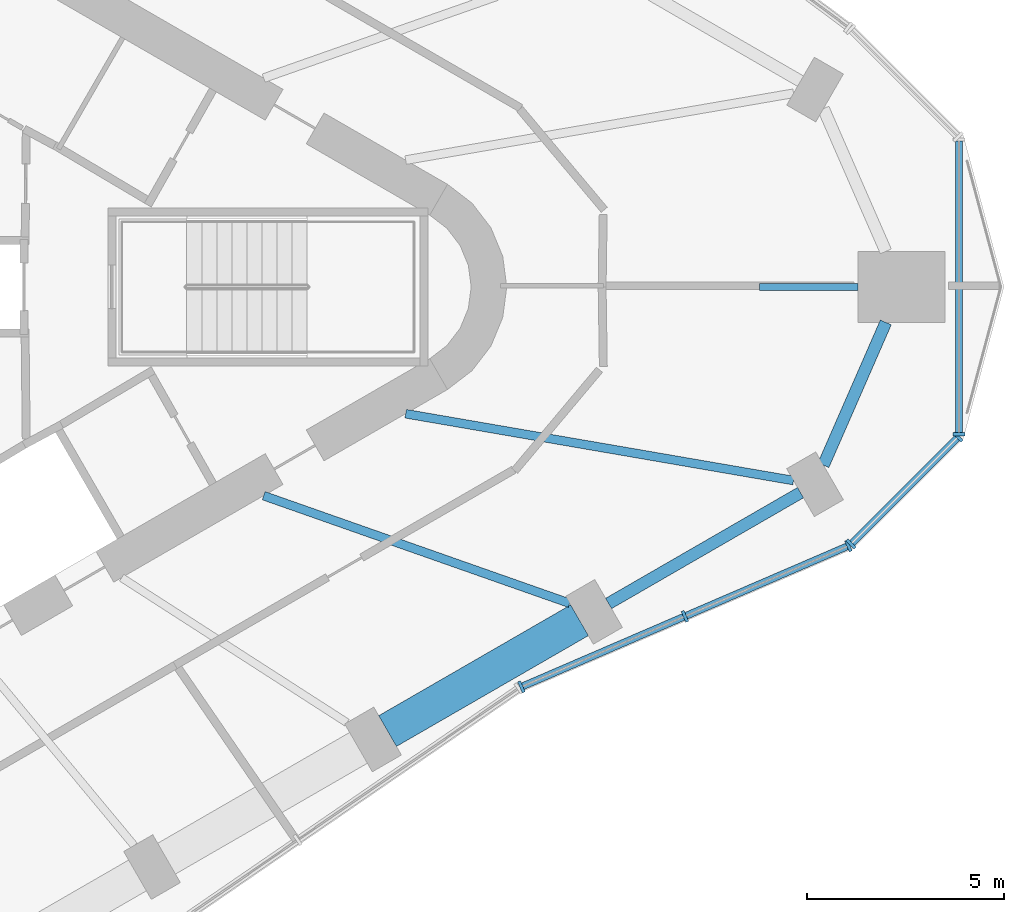
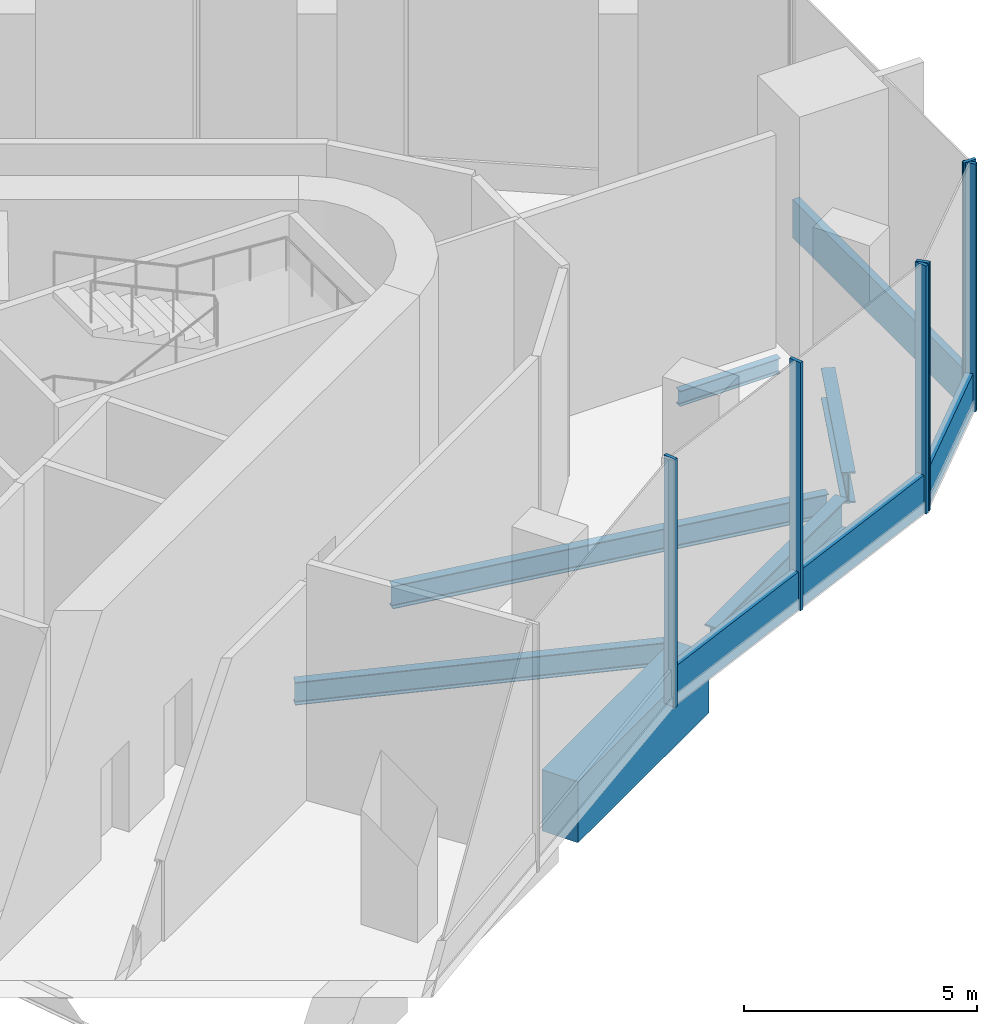
# One storey, part 3 of 13: 10 members, 6 beams, 3 elements without a shape of their own.
"""IFC4 building model written with IfcOpenShell, lengths in metres."""

from ifc_helpers import new_model, si_unit, direction, frame, origin, origin_2d, place, context, subcontext, project, spatial, rectangle, i_section, extrude, material, material_profile, profile_set, type_object, element, aggregate, save


model = new_model("IFC4")

# Units and contexts
model_context = context("Model", 3, precision=1e-05, world=origin(), true_north=direction((0.0, 1.0)))
body_context = subcontext(model_context, "Body", "Model", "MODEL_VIEW")
ifc_project = project(units=[si_unit("LENGTHUNIT", "METRE"), si_unit("AREAUNIT", "SQUARE_METRE"), si_unit("VOLUMEUNIT", "CUBIC_METRE"), si_unit("PLANEANGLEUNIT", "RADIAN"), si_unit("MASSUNIT", "GRAM", prefix="KILO")], contexts=[model_context])

# Site, building, storey
site_placement = place(None, origin())
site = spatial("IfcSite", under=ifc_project, at=site_placement, CompositionType="ELEMENT")
building_placement = place(site_placement, origin())
building = spatial("IfcBuilding", under=site, at=building_placement, Name="Tanit Gate Tower", CompositionType="ELEMENT")
storey_placement = place(building_placement, frame((0.0, 0.0, 398.300048828125)))
storey = spatial("IfcBuildingStorey", under=building, at=storey_placement, Name="L91", CompositionType="ELEMENT", Elevation=398.300048828125)

# Beams
ifc_material_1 = material(Name="Steel S460", Category="steel")
ifc_material_profile_1 = material_profile(ifc_material_1, i_section(OverallWidth=0.302978515625, OverallDepth=0.81396484375, WebThickness=0.02099609375, FlangeThickness=0.0400390625, FilletRadius=0.030029296875, at=origin_2d()), Name="HEM 800")
ifc_profile_set_1 = profile_set([ifc_material_profile_1], Name="Steel S460")
beam_type_1 = type_object("IfcBeamType", Name="BELT TRUSS CHORD HEM 800 S460", PredefinedType="BEAM", material=ifc_profile_set_1)
beam_1_placement = place(storey_placement, frame((23.77978515625, -8.018310546875, -0.70703125), z_axis=(0.866032056001, 0.499988477847, 0.0), x_axis=(-0.499988477847, 0.866032056001, 0.0)))
element("IfcBeam", 1, at=beam_1_placement, inside=storey, type_object=beam_type_1, Name="BELT TRUSS CHORD", PredefinedType="BEAM", context=body_context, shape_type="SweptSolid", body=[
    extrude(i_section(OverallWidth=0.302978515625, OverallDepth=0.81396484375, WebThickness=0.02099609375, FlangeThickness=0.0400390625, FilletRadius=0.030029296875, at=origin_2d()), origin(), (0.0, 0.0, 1.0), 5.614013671875),
])
beam_2_placement = place(storey_placement, frame((29.22119140625, -4.51513671875, -0.70703125), z_axis=(0.400637057258, 0.916236840752, 0.0), x_axis=(-0.916236840752, 0.400637057258, 0.0)))
element("IfcBeam", 2, at=beam_2_placement, inside=storey, type_object=beam_type_1, Name="BELT TRUSS CHORD", PredefinedType="BEAM", context=body_context, shape_type="SweptSolid", body=[
    extrude(i_section(OverallWidth=0.302978515625, OverallDepth=0.81396484375, WebThickness=0.02099609375, FlangeThickness=0.0400390625, FilletRadius=0.030029296875, at=origin_2d()), origin(), (0.0, 0.0, 1.0), 3.94580078125),
])

# Curtain wall, members
ifc_material_2 = material(Name="Aluminium bronze anodised and glass", Category="aluminium")
curtain_wall_type = type_object("IfcCurtainWallType", Name="Curtain wall observation", PredefinedType="NOTDEFINED", material=ifc_material_2)
curtain_wall_1_placement = place(storey_placement, origin())
curtain_wall_1 = element("IfcCurtainWall", 3, at=curtain_wall_1_placement, inside=storey, type_object=curtain_wall_type, Name="Curtain wall L91 SE3", PredefinedType="NOTDEFINED")
ifc_material_3 = material(Name="Aluminium bronze anodised", Category="aluminium")
ifc_material_profile_2 = material_profile(ifc_material_3, rectangle(XDim=0.300048828125, YDim=0.080078125, at=origin_2d()), Name="80x300 bronze mullion")
ifc_profile_set_2 = profile_set([ifc_material_profile_2], Name="Aluminium bronze anodised")
member_type_1 = type_object("IfcMemberType", Name="Mullion 80x300 observation", PredefinedType="MULLION", material=ifc_profile_set_2)
member_1_placement = place(storey_placement, frame((21.571044921875, -10.1298828125, -0.300048828125), z_axis=(0.0, 0.0, 1.0), x_axis=(-0.395871474525, 0.918305927051, 0.0)))
member_1 = element("IfcMember", 4, at=member_1_placement, type_object=member_type_1, Name="Mullion L91 SE3.1", PredefinedType="MULLION", context=body_context, shape_type="SweptSolid", body=[
    extrude(rectangle(XDim=0.300048828125, YDim=0.080078125, at=origin_2d()), origin(), (0.0, 0.0, 1.0), 6.5),
])
member_2_placement = place(storey_placement, frame((25.712646484375, -8.344482421875, -0.300048828125), z_axis=(0.0, 0.0, 1.0), x_axis=(-0.395871474525, 0.918305927051, 0.0)))
member_2 = element("IfcMember", 5, at=member_2_placement, type_object=member_type_1, Name="Mullion L91 SE3.2", PredefinedType="MULLION", context=body_context, shape_type="SweptSolid", body=[
    extrude(rectangle(XDim=0.300048828125, YDim=0.080078125, at=origin_2d()), origin(), (0.0, 0.0, 1.0), 6.5),
])
member_3_placement = place(storey_placement, frame((29.854248046875, -6.55908203125, -0.300048828125), z_axis=(0.0, 0.0, 1.0), x_axis=(-0.395871474525, 0.918305927051, 0.0)))
member_3 = element("IfcMember", 6, at=member_3_placement, type_object=member_type_1, Name="Mullion L91 SE3.3", PredefinedType="MULLION", context=body_context, shape_type="SweptSolid", body=[
    extrude(rectangle(XDim=0.300048828125, YDim=0.080078125, at=origin_2d()), origin(), (0.0, 0.0, 1.0), 6.5),
])

curtain_wall_2_placement = place(storey_placement, origin())
curtain_wall_2 = element("IfcCurtainWall", 7, at=curtain_wall_2_placement, inside=storey, type_object=curtain_wall_type, Name="Curtain wall L91 E.arc1", PredefinedType="NOTDEFINED")
member_4_placement = place(storey_placement, frame((29.91943359375, -6.514892578125, -0.300048828125), z_axis=(0.0, 0.0, 1.0), x_axis=(-0.707106781187, 0.707106781187, 0.0)))
member_4 = element("IfcMember", 8, at=member_4_placement, type_object=member_type_1, Name="Mullion L91 E.arc1.1", PredefinedType="MULLION", context=body_context, shape_type="SweptSolid", body=[
    extrude(rectangle(XDim=0.300048828125, YDim=0.080078125, at=origin_2d()), origin(), (0.0, 0.0, 1.0), 6.5),
])
member_5_placement = place(storey_placement, frame((32.632080078125, -3.80224609375, -0.300048828125), z_axis=(0.0, 0.0, 1.0), x_axis=(-0.707106781187, 0.707106781187, 0.0)))
member_5 = element("IfcMember", 9, at=member_5_placement, type_object=member_type_1, Name="Mullion L91 E.arc1.2", PredefinedType="MULLION", context=body_context, shape_type="SweptSolid", body=[
    extrude(rectangle(XDim=0.300048828125, YDim=0.080078125, at=origin_2d()), origin(), (0.0, 0.0, 1.0), 6.5),
])

# Curtain wall, member
curtain_wall_3_placement = place(storey_placement, origin())
curtain_wall_3 = element("IfcCurtainWall", 10, at=curtain_wall_3_placement, inside=storey, type_object=curtain_wall_type, Name="Curtain wall L91 E.arc2", PredefinedType="NOTDEFINED")
member_6_placement = place(storey_placement, frame((32.66015625, -3.73388671875, -0.300048828125), z_axis=(0.0, 0.0, 1.0), x_axis=(-1.0, 0.0, 0.0)))
member_6 = element("IfcMember", 11, at=member_6_placement, type_object=member_type_1, Name="Mullion L91 E.arc2.1", PredefinedType="MULLION", context=body_context, shape_type="SweptSolid", body=[
    extrude(rectangle(XDim=0.300048828125, YDim=0.080078125, at=origin_2d()), origin(), (0.0, 0.0, 1.0), 6.5),
])

# Beams
ifc_material_4 = material(Name="Steel S355", Category="steel")
ifc_material_profile_3 = material_profile(ifc_material_4, i_section(OverallWidth=0.179931640625, OverallDepth=0.39990234375, WebThickness=0.008544921875, FlangeThickness=0.013427734375, FilletRadius=0.02099609375, at=origin_2d()), Name="IPE 400")
ifc_profile_set_3 = profile_set([ifc_material_profile_3], Name="Steel S355")
beam_type_2 = type_object("IfcBeamType", Name="RADIAL GIRDER IPE 400 S355", PredefinedType="BEAM", material=ifc_profile_set_3)
beam_3_placement = place(storey_placement, frame((30.095703125, 0.0, -0.5), z_axis=(-1.0, 0.0, 0.0), x_axis=(0.0, -1.0, 0.0)))
element("IfcBeam", 12, at=beam_3_placement, inside=storey, type_object=beam_type_2, Name="RADIAL GIRDER", PredefinedType="BEAM", context=body_context, shape_type="SweptSolid", body=[
    extrude(i_section(OverallWidth=0.179931640625, OverallDepth=0.39990234375, WebThickness=0.008544921875, FlangeThickness=0.013427734375, FilletRadius=0.02099609375, at=origin_2d()), origin(), (0.0, 0.0, 1.0), 2.49072265625),
])
ifc_material_5 = material(Name="Steel S355", Category="steel")
ifc_material_profile_4 = material_profile(ifc_material_5, i_section(OverallWidth=0.219970703125, OverallDepth=0.60009765625, WebThickness=0.011962890625, FlangeThickness=0.01904296875, FilletRadius=0.02392578125, at=origin_2d()), Name="IPE 600")
ifc_profile_set_4 = profile_set([ifc_material_profile_4], Name="Steel S355")
beam_type_3 = type_object("IfcBeamType", Name="RADIAL GIRDER IPE 600 S355", PredefinedType="BEAM", material=ifc_profile_set_4)
beam_4_placement = place(storey_placement, frame((22.7958984375, -8.014404296875, -0.60009765625), z_axis=(-0.943393322565, 0.331676105471, 0.0), x_axis=(-0.331676105471, -0.943393322565, 0.0)))
element("IfcBeam", 13, at=beam_4_placement, inside=storey, type_object=beam_type_3, Name="RADIAL GIRDER", PredefinedType="BEAM", context=body_context, shape_type="SweptSolid", body=[
    extrude(i_section(OverallWidth=0.219970703125, OverallDepth=0.60009765625, WebThickness=0.011962890625, FlangeThickness=0.01904296875, FilletRadius=0.02392578125, at=origin_2d()), origin(), (0.0, 0.0, 1.0), 8.217529296875),
])
beam_5_placement = place(storey_placement, frame((28.464599609375, -4.905029296875, -0.60009765625), z_axis=(-0.985476230571, 0.169813424025, 0.0), x_axis=(-0.169813424025, -0.985476230571, 0.0)))
element("IfcBeam", 14, at=beam_5_placement, inside=storey, type_object=beam_type_3, Name="RADIAL GIRDER", PredefinedType="BEAM", context=body_context, shape_type="SweptSolid", body=[
    extrude(i_section(OverallWidth=0.219970703125, OverallDepth=0.60009765625, WebThickness=0.011962890625, FlangeThickness=0.01904296875, FilletRadius=0.02392578125, at=origin_2d()), origin(), (0.0, 0.0, 1.0), 9.968994140625),
])
ifc_material_6 = material(Name="Concrete C60/75", Category="concrete")
ifc_material_profile_5 = material_profile(ifc_material_6, rectangle(XDim=0.89990234375, YDim=1.60009765625, at=origin_2d()), Name="RC 900x1600")
ifc_profile_set_5 = profile_set([ifc_material_profile_5], Name="Concrete C60/75")
beam_type_4 = type_object("IfcBeamType", Name="TRANSFER GIRDER 900x1600 C60/75", PredefinedType="USERDEFINED", material=ifc_profile_set_5)
beam_6_placement = place(storey_placement, frame((18.181884765625, -11.250244140625, -1.10009765625), z_axis=(0.866032056001, 0.499988477847, 0.0), x_axis=(-0.499988477847, 0.866032056001, 0.0)))
element("IfcBeam", 15, at=beam_6_placement, inside=storey, type_object=beam_type_4, Name="TRANSFER GIRDER", ObjectType="GIRDER", PredefinedType="USERDEFINED", context=body_context, shape_type="SweptSolid", body=[
    extrude(rectangle(XDim=0.89990234375, YDim=1.60009765625, at=origin_2d()), origin(), (0.0, 0.0, 1.0), 5.614013671875),
])

# Member
ifc_material_7 = material(Name="Aluminium bronze anodised", Category="aluminium")
ifc_material_profile_6 = material_profile(ifc_material_7, rectangle(XDim=0.179931640625, YDim=1.0, at=origin_2d()), Name="180x1000 bronze transom")
ifc_profile_set_6 = profile_set([ifc_material_profile_6], Name="Aluminium bronze anodised")
member_type_2 = type_object("IfcMemberType", Name="Transom 180x1000 observation", PredefinedType="USERDEFINED", material=ifc_profile_set_6)
member_7_placement = place(storey_placement, frame((21.60791015625, -10.114013671875, 0.199951171875), z_axis=(0.918310615543, 0.395860598419, 0.0), x_axis=(-0.395860598419, 0.918310615543, 0.0)))
member_7 = element("IfcMember", 16, at=member_7_placement, type_object=member_type_2, Name="Transom L91 SE3.1", ObjectType="TRANSOM", PredefinedType="USERDEFINED", context=body_context, shape_type="SweptSolid", body=[
    extrude(rectangle(XDim=0.179931640625, YDim=1.0, at=origin_2d()), origin(), (0.0, 0.0, 1.0), 4.429931640625),
])

member_8_placement = place(storey_placement, frame((25.74951171875, -8.32861328125, 0.199951171875), z_axis=(0.918310615543, 0.395860598419, 0.0), x_axis=(-0.395860598419, 0.918310615543, 0.0)))
member_8 = element("IfcMember", 17, at=member_8_placement, type_object=member_type_2, Name="Transom L91 SE3.2", ObjectType="TRANSOM", PredefinedType="USERDEFINED", context=body_context, shape_type="SweptSolid", body=[
    extrude(rectangle(XDim=0.179931640625, YDim=1.0, at=origin_2d()), origin(), (0.0, 0.0, 1.0), 4.429931640625),
])

aggregate(curtain_wall_1, [member_1, member_2, member_3, member_7, member_8])

member_9_placement = place(storey_placement, frame((29.947509765625, -6.486572265625, 0.199951171875), z_axis=(0.707139277649, 0.70707428323, 0.0), x_axis=(-0.70707428323, 0.707139277649, 0.0)))
member_9 = element("IfcMember", 18, at=member_9_placement, type_object=member_type_2, Name="Transom L91 E.arc1.1", ObjectType="TRANSOM", PredefinedType="USERDEFINED", context=body_context, shape_type="SweptSolid", body=[
    extrude(rectangle(XDim=0.179931640625, YDim=1.0, at=origin_2d()), origin(), (0.0, 0.0, 1.0), 3.75634765625),
])

aggregate(curtain_wall_2, [member_4, member_5, member_9])

member_10_placement = place(storey_placement, frame((32.66015625, -3.694091796875, 0.199951171875), z_axis=(0.0, 1.0, 0.0), x_axis=(-1.0, 0.0, 0.0)))
member_10 = element("IfcMember", 19, at=member_10_placement, type_object=member_type_2, Name="Transom L91 E.arc2.1", ObjectType="TRANSOM", PredefinedType="USERDEFINED", context=body_context, shape_type="SweptSolid", body=[
    extrude(rectangle(XDim=0.179931640625, YDim=1.0, at=origin_2d()), origin(), (0.0, 0.0, 1.0), 7.38818359375),
])

aggregate(curtain_wall_3, [member_6, member_10])

save(model, "model.ifc")
